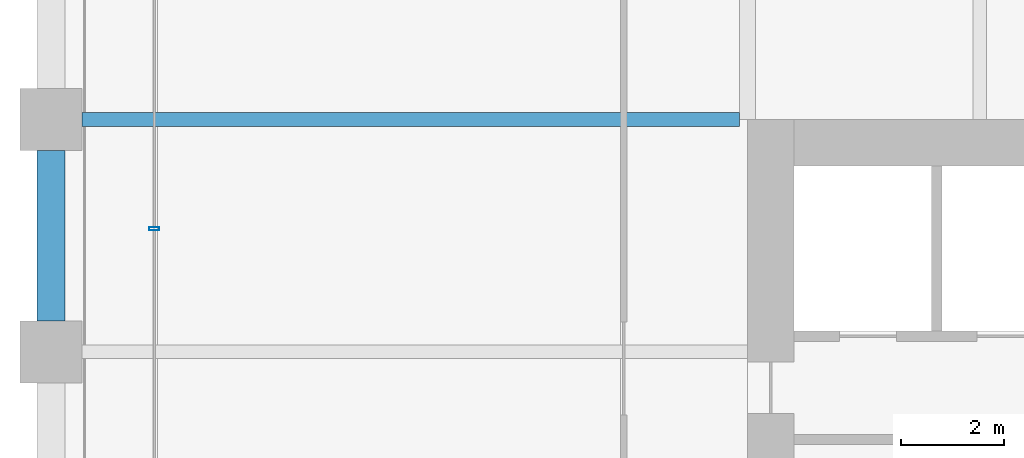
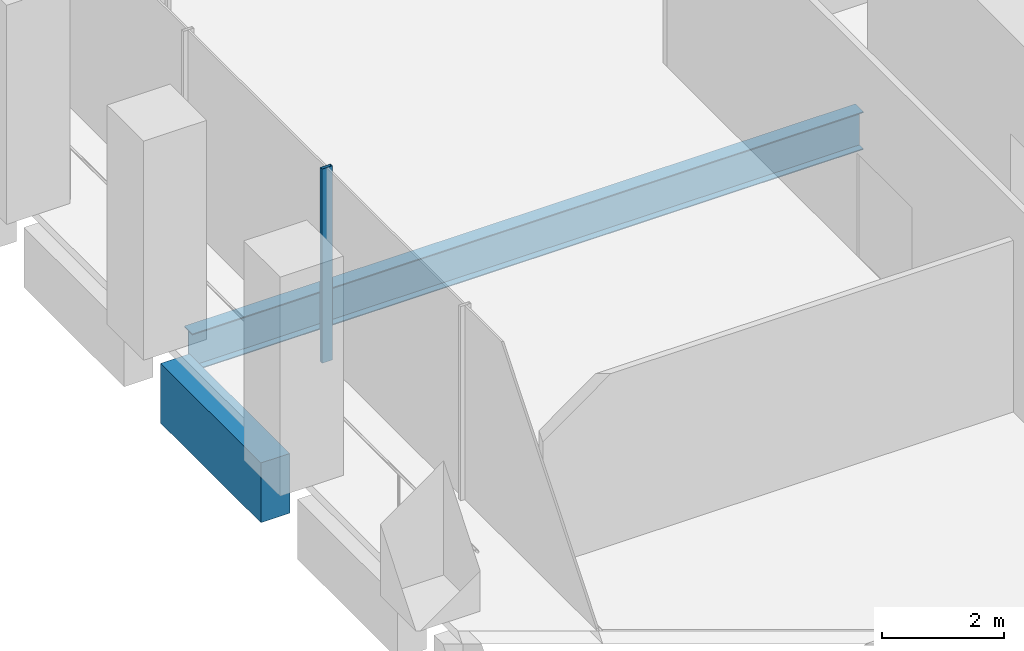
# One storey, part 8 of 36: 2 beams, 1 member, 1 element without a shape of its own.
"""IFC4 building model written with IfcOpenShell, lengths in metres."""

from ifc_helpers import new_model, si_unit, direction, frame, origin, origin_2d, place, context, subcontext, project, spatial, rectangle, hollow_rectangle, i_section, extrude, material, material_profile, profile_set, type_object, element, aggregate, save


model = new_model("IFC4")

# Units and contexts
model_context = context("Model", 3, precision=1e-05, world=origin(), true_north=direction((0.0, 1.0)))
body_context = subcontext(model_context, "Body", "Model", "MODEL_VIEW")
ifc_project = project(units=[si_unit("LENGTHUNIT", "METRE"), si_unit("AREAUNIT", "SQUARE_METRE"), si_unit("VOLUMEUNIT", "CUBIC_METRE"), si_unit("PLANEANGLEUNIT", "RADIAN"), si_unit("MASSUNIT", "GRAM", prefix="KILO")], contexts=[model_context])

# Site, building, storey
site_placement = place(None, origin())
site = spatial("IfcSite", under=ifc_project, at=site_placement, CompositionType="ELEMENT")
building_placement = place(site_placement, origin())
building = spatial("IfcBuilding", under=site, at=building_placement, Name="Altepetl Exchange Towers", CompositionType="ELEMENT")
storey_placement = place(building_placement, frame((0.0, 0.0, 34.199951171875)))
storey = spatial("IfcBuildingStorey", under=building, at=storey_placement, Name="L07", CompositionType="ELEMENT", Elevation=34.199951171875)

# Beam
ifc_material_1 = material(Name="Steel S355", Category="steel")
ifc_material_profile_1 = material_profile(ifc_material_1, i_section(OverallWidth=0.26611328125, OverallDepth=0.758056640625, WebThickness=0.013916015625, FlangeThickness=0.019287109375, at=origin_2d()), Name="W30X108")
ifc_profile_set_1 = profile_set([ifc_material_profile_1], Name="Steel S355")
beam_type_1 = type_object("IfcBeamType", Name="Floor beam W30X108", PredefinedType="BEAM", material=ifc_profile_set_1)
beam_1_placement = place(storey_placement, frame((27.60009765625, 58.5, -0.553955078125), z_axis=(1.0, 0.0, 0.0), x_axis=(0.0, 1.0, 0.0)))
element("IfcBeam", 1, at=beam_1_placement, inside=storey, type_object=beam_type_1, Name="bm:A:L07:021", PredefinedType="BEAM", context=body_context, shape_type="SweptSolid", body=[
    extrude(i_section(OverallWidth=0.26611328125, OverallDepth=0.758056640625, WebThickness=0.013916015625, FlangeThickness=0.019287109375, at=origin_2d()), origin(), (0.0, 0.0, 1.0), 12.745849609375),
])

# Curtain wall, member
ifc_material_2 = material(Name="Aluminium 6063-T6 glazing", Category="aluminium")
curtain_wall_type = type_object("IfcCurtainWallType", Name="Trading floor glazing system", PredefinedType="NOTDEFINED", material=ifc_material_2)
curtain_wall_placement = place(storey_placement, origin())
curtain_wall = element("IfcCurtainWall", 2, at=curtain_wall_placement, inside=storey, type_object=curtain_wall_type, Name="CW2 run", PredefinedType="NOTDEFINED")
ifc_material_3 = material(Name="Aluminium 6063-T6", Category="aluminium")
ifc_material_profile_2 = material_profile(ifc_material_3, hollow_rectangle(XDim=0.06005859375, YDim=0.199951171875, WallThickness=0.0029296875, at=origin_2d()), Name="Mullion 60x200 aluminium")
ifc_profile_set_2 = profile_set([ifc_material_profile_2], Name="Aluminium 6063-T6")
member_type = type_object("IfcMemberType", Name="Mullion 60x200 aluminium", PredefinedType="MULLION", material=ifc_profile_set_2)
member_placement = place(storey_placement, frame((29.0, 56.3857421875, 0.0), z_axis=(0.0, 0.0, 1.0), x_axis=(0.0, -1.0, 0.0)))
member = element("IfcMember", 3, at=member_placement, type_object=member_type, Name="MU2 mullion", PredefinedType="MULLION", context=body_context, shape_type="SweptSolid", body=[
    extrude(hollow_rectangle(XDim=0.06005859375, YDim=0.199951171875, WallThickness=0.0029296875, at=origin_2d()), origin(), (0.0, 0.0, 1.0), 3.900146484375),
])
aggregate(curtain_wall, [member])

# Beam
ifc_material_4 = material(Name="Concrete C50/60 precast with tezontle facing", Category="concrete")
ifc_material_profile_3 = material_profile(ifc_material_4, rectangle(XDim=0.550048828125, YDim=1.199951171875, at=origin_2d()), Name="550 x 1200")
ifc_profile_set_3 = profile_set([ifc_material_profile_3], Name="Concrete C50/60 precast with tezontle facing")
beam_type_2 = type_object("IfcBeamType", Name="Spandrel beam 550x1200 tezontle", PredefinedType="SPANDREL", material=ifc_profile_set_3)
beam_2_placement = place(storey_placement, frame((27.0, 57.89990234375, -0.77490234375), z_axis=(0.0, -1.0, 0.0), x_axis=(1.0, 0.0, 0.0)))
element("IfcBeam", 4, at=beam_2_placement, inside=storey, type_object=beam_type_2, Name="sp:A:L07:038", PredefinedType="SPANDREL", context=body_context, shape_type="SweptSolid", body=[
    extrude(rectangle(XDim=0.550048828125, YDim=1.199951171875, at=origin_2d()), origin(), (0.0, 0.0, 1.0), 3.2998046875),
])

save(model, "model.ifc")
